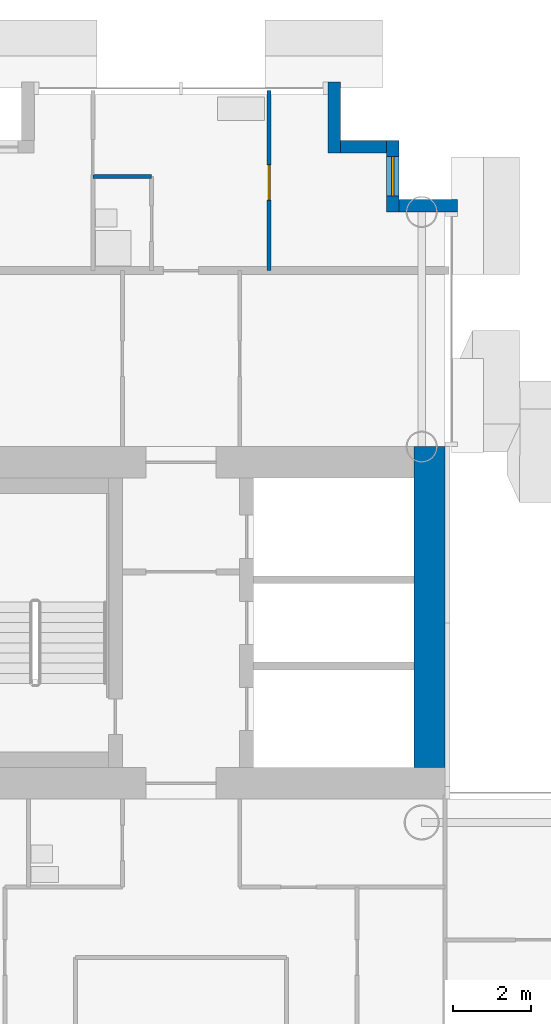
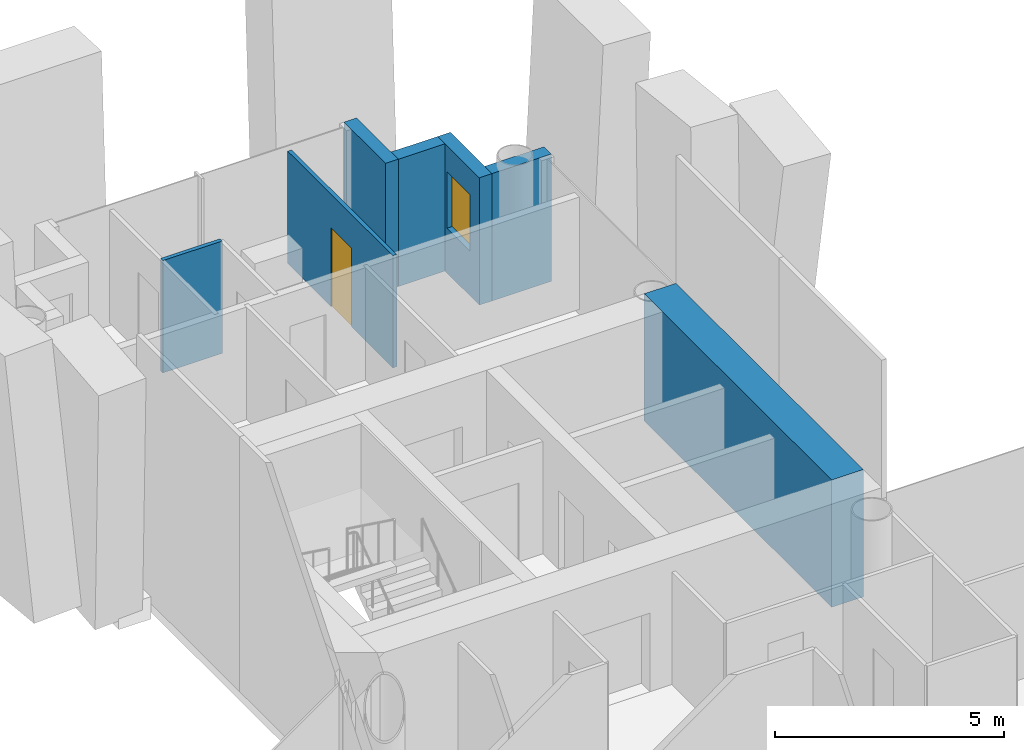
# One storey, part 12 of 19: 7 walls, 1 door, 1 window, 2 openings.
"""IFC4 building model written with IfcOpenShell, lengths in metres."""

from ifc_helpers import new_model, si_unit, direction, frame, frame_2d, origin, place, context, subcontext, project, spatial, rectangle, extrude, material, layer, layer_set, type_object, element, fill, save


model = new_model("IFC4")

# Units and contexts
model_context = context("Model", 3, precision=1e-05, world=origin(), true_north=direction((0.0, 1.0)))
body_context = subcontext(model_context, "Body", "Model", "MODEL_VIEW")
ifc_project = project(units=[si_unit("LENGTHUNIT", "METRE"), si_unit("AREAUNIT", "SQUARE_METRE"), si_unit("VOLUMEUNIT", "CUBIC_METRE"), si_unit("PLANEANGLEUNIT", "RADIAN"), si_unit("MASSUNIT", "GRAM", prefix="KILO")], contexts=[model_context])

# Site, building, storey
site_placement = place(None, origin())
site = spatial("IfcSite", under=ifc_project, at=site_placement, CompositionType="ELEMENT")
building_placement = place(site_placement, origin())
building = spatial("IfcBuilding", under=site, at=building_placement, Name="Ipe Terrace Towers", CompositionType="ELEMENT")
storey_placement = place(building_placement, frame((0.0, 0.0, 157.5)))
storey = spatial("IfcBuildingStorey", under=building, at=storey_placement, Name="L43", CompositionType="ELEMENT", Elevation=157.5)

# Wall
ifc_material_1 = material(Name="Concrete C40/50 with buff precast cladding", Category="concrete")
ifc_layer_1 = layer(ifc_material_1, 0.320068359375)
ifc_layer_set_1 = layer_set([ifc_layer_1], Name="BUFF CLADDING WALL 320")
wall_type_1 = type_object("IfcWallType", Name="BUFF CLADDING WALL 320", PredefinedType="STANDARD", material=ifc_layer_set_1)
wall_1_placement = place(storey_placement, frame((43.070068359375, 21.909912109375, -0.300048828125), z_axis=(0.0, 0.0, 1.0), x_axis=(-1.0, 0.0, 0.0)))
element("IfcWall", 1, at=wall_1_placement, inside=storey, type_object=wall_type_1, Name="T2-W-L43-17a wall", PredefinedType="STANDARD", context=body_context, shape_type="SweptSolid", body=[
    extrude(rectangle(XDim=1.5, YDim=0.320068359375, at=frame_2d((0.75, 0.0))), origin(), (0.0, 0.0, 1.0), 3.400146484375),
])

# Wall, opening, window
wall_2_placement = place(storey_placement, frame((41.409912109375, 21.75, -0.300048828125), z_axis=(0.0, 0.0, 1.0), x_axis=(0.0, 1.0, 0.0)))
wall_2 = element("IfcWall", 2, at=wall_2_placement, inside=storey, type_object=wall_type_1, Name="T2-W-L43-18a wall", PredefinedType="STANDARD", context=body_context, shape_type="SweptSolid", body=[
    extrude(rectangle(XDim=1.820068359375, YDim=0.320068359375, at=frame_2d((0.91015625, 0.0))), origin(), (0.0, 0.0, 1.0), 3.400146484375),
])
opening_1_placement = place(wall_2_placement, frame((0.409912109375, 0.0, 1.199951171875)))
opening_1 = element("IfcOpeningElement", 3, at=opening_1_placement, cuts=wall_2, Name="Opening T2-W-05-L43-04", PredefinedType="OPENING", context=body_context, shape_type="SweptSolid", body=[
    extrude(rectangle(XDim=1.0, YDim=1.5, at=frame_2d((0.5, 0.75))), frame((0.0, 0.169921875, 0.0), z_axis=(0.0, -1.0, 0.0), x_axis=(1.0, 0.0, 0.0)), (0.0, 0.0, 1.0), 0.340087890625),
])
ifc_material_2 = material(Name="Glass, clear laminated", Category="glass")
window_type = type_object("IfcWindowType", Name="DWELLING WINDOW 1000 x 1500", PartitioningType="SINGLE_PANEL", PredefinedType="WINDOW", material=ifc_material_2)
window_placement = place(opening_1_placement, origin())
window = element("IfcWindow", 4, at=window_placement, inside=storey, type_object=window_type, Name="W-05 window", OverallHeight=1.5, OverallWidth=1.0, PartitioningType="SINGLE_PANEL", PredefinedType="WINDOW", context=body_context, shape_type="SweptSolid", body=[
    extrude(rectangle(XDim=1.0, YDim=1.5, at=frame_2d((0.5, 0.75))), frame((0.0, 0.030029296875, 0.0), z_axis=(0.0, -1.0, 0.0), x_axis=(1.0, 0.0, 0.0)), (0.0, 0.0, 1.0), 0.06005859375),
])
fill(opening_1, window)

# Walls
wall_3_placement = place(storey_placement, frame((41.25, 23.409912109375, -0.300048828125), z_axis=(0.0, 0.0, 1.0), x_axis=(-1.0, 0.0, 0.0)))
element("IfcWall", 5, at=wall_3_placement, inside=storey, type_object=wall_type_1, Name="T2-W-L43-19a wall", PredefinedType="STANDARD", context=body_context, shape_type="SweptSolid", body=[
    extrude(rectangle(XDim=1.179931640625, YDim=0.320068359375, at=frame_2d((0.58984375, 0.0))), origin(), (0.0, 0.0, 1.0), 3.400146484375),
])
wall_4_placement = place(storey_placement, frame((39.909912109375, 23.25, -0.300048828125), z_axis=(0.0, 0.0, 1.0), x_axis=(0.0, 1.0, 0.0)))
element("IfcWall", 6, at=wall_4_placement, inside=storey, type_object=wall_type_1, Name="T2-W-L43-20a wall", PredefinedType="STANDARD", context=body_context, shape_type="SweptSolid", body=[
    extrude(rectangle(XDim=1.820068359375, YDim=0.320068359375, at=frame_2d((0.91015625, 0.0))), origin(), (0.0, 0.0, 1.0), 3.400146484375),
])
ifc_material_3 = material(Name="Gypsum board partition", Category="plasterboard")
ifc_layer_2 = layer(ifc_material_3, 0.10009765625)
ifc_layer_set_2 = layer_set([ifc_layer_2], Name="Gypsum board partition 100 mm")
wall_type_2 = type_object("IfcWallType", Name="Gypsum board partition 100 mm", PredefinedType="PARTITIONING", material=ifc_layer_set_2)
wall_5_placement = place(storey_placement, frame((35.25, 22.64990234375, 0.0), z_axis=(0.0, 0.0, 1.0), x_axis=(-1.0, 0.0, 0.0)))
element("IfcWall", 7, at=wall_5_placement, inside=storey, type_object=wall_type_2, Name="Gypsum board partition T2 L43 W21", PredefinedType="PARTITIONING", context=body_context, shape_type="SweptSolid", body=[
    extrude(rectangle(XDim=1.5, YDim=0.10009765625, at=frame_2d((0.75, 0.0))), origin(), (0.0, 0.0, 1.0), 3.0),
])

# Wall, opening, door
wall_6_placement = place(storey_placement, frame((38.25, 20.25, 0.0), z_axis=(0.0, 0.0, 1.0), x_axis=(0.0, 1.0, 0.0)))
wall_6 = element("IfcWall", 8, at=wall_6_placement, inside=storey, type_object=wall_type_2, Name="Gypsum board partition T2 L43 W29", PredefinedType="PARTITIONING", context=body_context, shape_type="SweptSolid", body=[
    extrude(rectangle(XDim=4.60009765625, YDim=0.10009765625, at=frame_2d((2.300048828125, 0.0))), origin(), (0.0, 0.0, 1.0), 3.0),
])
opening_2_placement = place(wall_6_placement, frame((1.800048828125, 0.0, 0.0)))
opening_2 = element("IfcOpeningElement", 9, at=opening_2_placement, cuts=wall_6, Name="Opening T2-Z3C-28", PredefinedType="OPENING", context=body_context, shape_type="SweptSolid", body=[
    extrude(rectangle(XDim=0.89990234375, YDim=2.10009765625, at=frame_2d((0.449951171875, 1.050048828125))), frame((0.0, 0.06005859375, 0.0), z_axis=(0.0, -1.0, 0.0), x_axis=(1.0, 0.0, 0.0)), (0.0, 0.0, 1.0), 0.1201171875),
])
ifc_material_4 = material(Name="Timber door leaf", Category="wood")
door_type = type_object("IfcDoorType", Name="Bedroom door 900 x 2100", OperationType="NOTDEFINED", PredefinedType="DOOR", material=ifc_material_4)
door_placement = place(opening_2_placement, origin())
door = element("IfcDoor", 10, at=door_placement, inside=storey, type_object=door_type, Name="Bedroom door T2-Z3C-28", OperationType="SINGLE_SWING_LEFT", OverallHeight=2.10009765625, OverallWidth=0.89990234375, PredefinedType="DOOR", context=body_context, shape_type="SweptSolid", body=[
    extrude(rectangle(XDim=0.89990234375, YDim=2.10009765625, at=frame_2d((0.449951171875, 1.050048828125))), frame((0.0, 0.02490234375, 0.0), z_axis=(0.0, -1.0, 0.0), x_axis=(1.0, 0.0, 0.0)), (0.0, 0.0, 1.0), 0.050048828125),
])
fill(opening_2, door)

# Wall
ifc_material_5 = material(Name="Concrete C50/60", Category="concrete")
ifc_layer_3 = layer(ifc_material_5, 0.800048828125)
ifc_layer_set_3 = layer_set([ifc_layer_3], Name="RW800 CORE WALL 800 C50-60")
wall_type_3 = type_object("IfcWallType", Name="RW800 CORE WALL 800 C50-60", PredefinedType="SHEAR", material=ifc_layer_set_3)
wall_7_placement = place(storey_placement, frame((42.35009765625, 7.550048828125, 0.0), z_axis=(0.0, 0.0, 1.0), x_axis=(0.0, 1.0, 0.0)))
element("IfcWall", 11, at=wall_7_placement, inside=storey, type_object=wall_type_3, Name="Core wall T2-C1-Z3-W02", PredefinedType="SHEAR", context=body_context, shape_type="SweptSolid", body=[
    extrude(rectangle(XDim=8.199951171875, YDim=0.800048828125, at=frame_2d((4.10009765625, 0.0))), origin(), (0.0, 0.0, 1.0), 3.39990234375),
])

save(model, "model.ifc")
